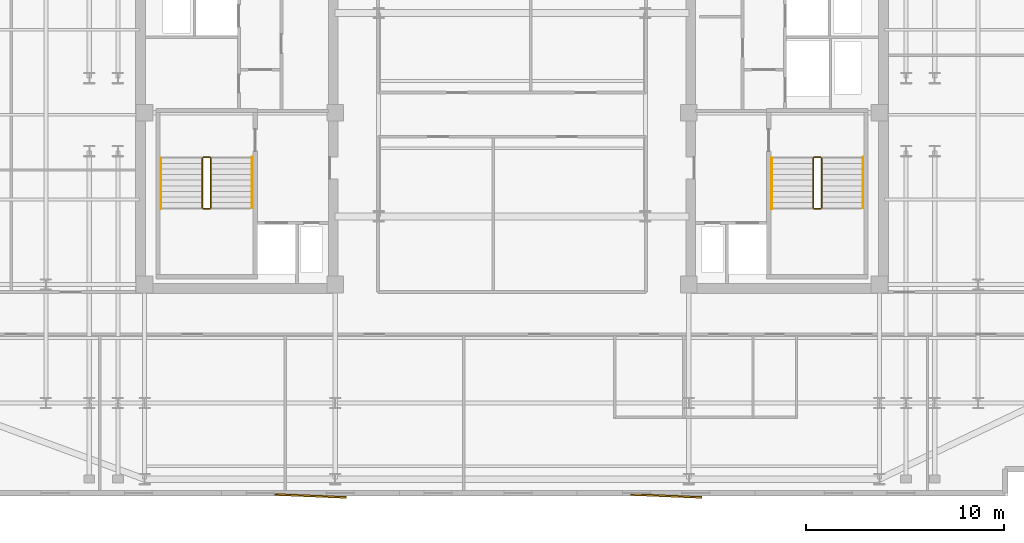
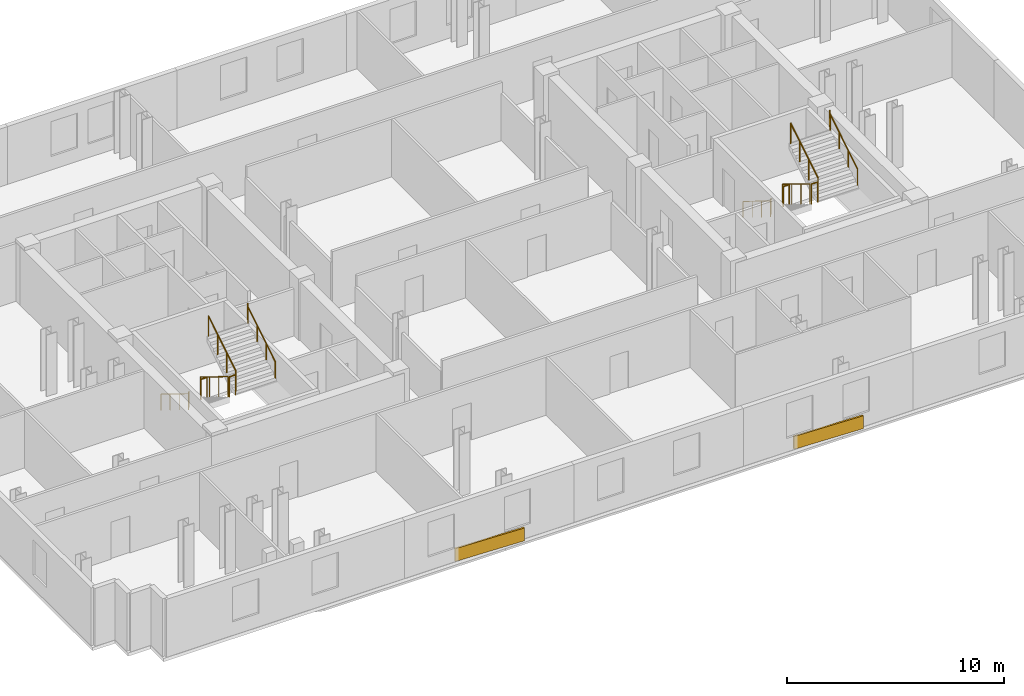
# One storey, part 8 of 9: 12 railings, 2 coverings.
"""IFC4 building model written with IfcOpenShell, lengths in metres."""

from ifc_helpers import new_model, si_unit, direction, frame, origin, origin_2d, place, context, subcontext, project, spatial, rectangle, circle, extrude, material, layer, layer_set, type_object, element, save


model = new_model("IFC4")

# Units and contexts
model_context = context("Model", 3, precision=1e-05, world=origin(), true_north=direction((0.0, 1.0)))
body_context = subcontext(model_context, "Body", "Model", "MODEL_VIEW")
ifc_project = project(units=[si_unit("LENGTHUNIT", "METRE"), si_unit("AREAUNIT", "SQUARE_METRE"), si_unit("VOLUMEUNIT", "CUBIC_METRE"), si_unit("PLANEANGLEUNIT", "RADIAN"), si_unit("MASSUNIT", "GRAM", prefix="KILO")], contexts=[model_context])

# Site, building, storey
site_placement = place(None, origin())
site = spatial("IfcSite", under=ifc_project, at=site_placement, CompositionType="ELEMENT")
building_placement = place(site_placement, origin())
building = spatial("IfcBuilding", under=site, at=building_placement, Name="Velakula Bourse", CompositionType="ELEMENT")
storey_placement = place(building_placement, frame((0.0, 0.0, 218.85009765625)))
storey = spatial("IfcBuildingStorey", under=building, at=storey_placement, Name="L59", CompositionType="ELEMENT", Elevation=218.85009765625)

# Coverings
ifc_material_1 = material(Name="Red kilned clay facing brick masonry", Category="masonry")
ifc_layer = layer(ifc_material_1, 0.090087890625, Name="Red kilned clay facing brick masonry", Category="masonry")
ifc_layer_set = layer_set([ifc_layer], Name="Red kilned clay facing brick masonry")
covering_type = type_object("IfcCoveringType", Name="COV-BRK-FOLD-90", PredefinedType="CLADDING", material=ifc_layer_set)
for number, where, z_axis, x_axis, name in (
    (1, (-10.199951171875, -19.300048828125, 0.0), (0.0, 0.0, 1.0), (0.999158993058, -0.041003738744, 0.0), "L59 Folded Brick Facade Cladding Panel S-B2"),
    (2, (7.800048828125, -19.300048828125, 0.0), (0.0, 0.0, 1.0), (0.999158993058, -0.041003738744, 0.0), "L59 Folded Brick Facade Cladding Panel S-B4"),
):
    element("IfcCovering", number, at=place(storey_placement, frame(where, z_axis=z_axis, x_axis=x_axis)), inside=storey, type_object=covering_type, Name=name, PredefinedType="CLADDING", context=body_context, shape_type="SweptSolid", body=[
        extrude(rectangle(XDim=3.60009765625, YDim=0.090087890625, at=origin_2d()), origin(), (0.0, 0.0, 1.0), 0.719970703125),
    ])

# Railings
ifc_material_2 = material(Name="Brushed grade 316 stainless steel", Category="steel")
railing_type_1 = type_object("IfcRailingType", Name="RLG-STAIR-GUARD-1150", PredefinedType="BALUSTRADE", material=ifc_material_2)
railing_1_placement = place(storey_placement, frame((-15.672119140625, -2.199951171875, 0.17236328125)))
element("IfcRailing", 3, at=railing_1_placement, inside=storey, type_object=railing_type_1, Name="L59 ST-W1 stair guard 1", PredefinedType="BALUSTRADE", context=body_context, shape_type="SweptSolid", body=[
    extrude(circle(Radius=0.02490234375, at=origin_2d()), frame((0.0, 0.0, 1.125), z_axis=(0.0, -0.851400495292, 0.524516154772), x_axis=(1.0, 0.0, 0.0)), (0.0, 0.0, 1.0), 2.9599609375),
    extrude(circle(Radius=0.02099609375, at=origin_2d()), origin(), (0.0, 0.0, 1.0), 1.099853515625),
    extrude(circle(Radius=0.02099609375, at=origin_2d()), frame((0.0, -0.840087890625, 0.517578125)), (0.0, 0.0, 1.0), 1.099853515625),
    extrude(circle(Radius=0.02099609375, at=origin_2d()), frame((0.0, -1.679931640625, 1.034912109375)), (0.0, 0.0, 1.0), 1.099853515625),
    extrude(circle(Radius=0.02099609375, at=origin_2d()), frame((0.0, -2.52001953125, 1.552490234375)), (0.0, 0.0, 1.0), 1.099853515625),
])
railing_2_placement = place(storey_placement, frame((-15.6220703125, -4.77001953125, 1.724853515625)))
element("IfcRailing", 4, at=railing_2_placement, inside=storey, type_object=railing_type_1, Name="L59 ST-W1 stair guard 2", PredefinedType="BALUSTRADE", context=body_context, shape_type="SweptSolid", body=[
    extrude(circle(Radius=0.02490234375, at=origin_2d()), frame((0.0, 0.0, 1.125), z_axis=(1.0, 0.0, 0.0), x_axis=(0.0, 1.0, 0.0)), (0.0, 0.0, 1.0), 0.323974609375),
    extrude(circle(Radius=0.02099609375, at=origin_2d()), origin(), (0.0, 0.0, 1.0), 1.099853515625),
    extrude(circle(Radius=0.02099609375, at=origin_2d()), frame((0.323974609375, 0.0, 0.0)), (0.0, 0.0, 1.0), 1.099853515625),
])
railing_3_placement = place(storey_placement, frame((-15.248046875, -4.719970703125, 1.8974609375)))
element("IfcRailing", 5, at=railing_3_placement, inside=storey, type_object=railing_type_1, Name="L59 ST-W1 stair guard 3", PredefinedType="BALUSTRADE", context=body_context, shape_type="SweptSolid", body=[
    extrude(circle(Radius=0.02490234375, at=origin_2d()), frame((0.0, 0.0, 1.125), z_axis=(0.0, 0.851400495292, 0.524516154772), x_axis=(-1.0, 0.0, 0.0)), (0.0, 0.0, 1.0), 2.9599609375),
    extrude(circle(Radius=0.02099609375, at=origin_2d()), origin(), (0.0, 0.0, 1.0), 1.099853515625),
    extrude(circle(Radius=0.02099609375, at=origin_2d()), frame((0.0, 0.840087890625, 0.517578125)), (0.0, 0.0, 1.0), 1.099853515625),
    extrude(circle(Radius=0.02099609375, at=origin_2d()), frame((0.0, 1.679931640625, 1.034912109375)), (0.0, 0.0, 1.0), 1.099853515625),
    extrude(circle(Radius=0.02099609375, at=origin_2d()), frame((0.0, 2.52001953125, 1.552490234375)), (0.0, 0.0, 1.0), 1.099853515625),
])
railing_4_placement = place(storey_placement, frame((-15.6220703125, -2.14990234375, 0.0)))
element("IfcRailing", 6, at=railing_4_placement, inside=storey, type_object=railing_type_1, Name="L59 ST-W1 stair guard 4", PredefinedType="BALUSTRADE", context=body_context, shape_type="SweptSolid", body=[
    extrude(circle(Radius=0.02490234375, at=origin_2d()), frame((0.0, 0.0, 1.125), z_axis=(1.0, 0.0, 0.0), x_axis=(0.0, 1.0, 0.0)), (0.0, 0.0, 1.0), 0.323974609375),
    extrude(circle(Radius=0.02099609375, at=origin_2d()), origin(), (0.0, 0.0, 1.0), 1.099853515625),
    extrude(circle(Radius=0.02099609375, at=origin_2d()), frame((0.323974609375, 0.0, 0.0)), (0.0, 0.0, 1.0), 1.099853515625),
])
railing_5_placement = place(storey_placement, frame((15.248046875, -2.199951171875, 0.17236328125)))
element("IfcRailing", 7, at=railing_5_placement, inside=storey, type_object=railing_type_1, Name="L59 ST-E1 stair guard 1", PredefinedType="BALUSTRADE", context=body_context, shape_type="SweptSolid", body=[
    extrude(circle(Radius=0.02490234375, at=origin_2d()), frame((0.0, 0.0, 1.125), z_axis=(0.0, -0.851400495292, 0.524516154772), x_axis=(1.0, 0.0, 0.0)), (0.0, 0.0, 1.0), 2.9599609375),
    extrude(circle(Radius=0.02099609375, at=origin_2d()), origin(), (0.0, 0.0, 1.0), 1.099853515625),
    extrude(circle(Radius=0.02099609375, at=origin_2d()), frame((0.0, -0.840087890625, 0.517578125)), (0.0, 0.0, 1.0), 1.099853515625),
    extrude(circle(Radius=0.02099609375, at=origin_2d()), frame((0.0, -1.679931640625, 1.034912109375)), (0.0, 0.0, 1.0), 1.099853515625),
    extrude(circle(Radius=0.02099609375, at=origin_2d()), frame((0.0, -2.52001953125, 1.552490234375)), (0.0, 0.0, 1.0), 1.099853515625),
])
railing_6_placement = place(storey_placement, frame((15.298095703125, -4.77001953125, 1.724853515625)))
element("IfcRailing", 8, at=railing_6_placement, inside=storey, type_object=railing_type_1, Name="L59 ST-E1 stair guard 2", PredefinedType="BALUSTRADE", context=body_context, shape_type="SweptSolid", body=[
    extrude(circle(Radius=0.02490234375, at=origin_2d()), frame((0.0, 0.0, 1.125), z_axis=(1.0, 0.0, 0.0), x_axis=(0.0, 1.0, 0.0)), (0.0, 0.0, 1.0), 0.323974609375),
    extrude(circle(Radius=0.02099609375, at=origin_2d()), origin(), (0.0, 0.0, 1.0), 1.099853515625),
    extrude(circle(Radius=0.02099609375, at=origin_2d()), frame((0.323974609375, 0.0, 0.0)), (0.0, 0.0, 1.0), 1.099853515625),
])
railing_7_placement = place(storey_placement, frame((15.672119140625, -4.719970703125, 1.8974609375)))
element("IfcRailing", 9, at=railing_7_placement, inside=storey, type_object=railing_type_1, Name="L59 ST-E1 stair guard 3", PredefinedType="BALUSTRADE", context=body_context, shape_type="SweptSolid", body=[
    extrude(circle(Radius=0.02490234375, at=origin_2d()), frame((0.0, 0.0, 1.125), z_axis=(0.0, 0.851400495292, 0.524516154772), x_axis=(-1.0, 0.0, 0.0)), (0.0, 0.0, 1.0), 2.9599609375),
    extrude(circle(Radius=0.02099609375, at=origin_2d()), origin(), (0.0, 0.0, 1.0), 1.099853515625),
    extrude(circle(Radius=0.02099609375, at=origin_2d()), frame((0.0, 0.840087890625, 0.517578125)), (0.0, 0.0, 1.0), 1.099853515625),
    extrude(circle(Radius=0.02099609375, at=origin_2d()), frame((0.0, 1.679931640625, 1.034912109375)), (0.0, 0.0, 1.0), 1.099853515625),
    extrude(circle(Radius=0.02099609375, at=origin_2d()), frame((0.0, 2.52001953125, 1.552490234375)), (0.0, 0.0, 1.0), 1.099853515625),
])
railing_8_placement = place(storey_placement, frame((15.298095703125, -2.14990234375, 0.0)))
element("IfcRailing", 10, at=railing_8_placement, inside=storey, type_object=railing_type_1, Name="L59 ST-E1 stair guard 4", PredefinedType="BALUSTRADE", context=body_context, shape_type="SweptSolid", body=[
    extrude(circle(Radius=0.02490234375, at=origin_2d()), frame((0.0, 0.0, 1.125), z_axis=(1.0, 0.0, 0.0), x_axis=(0.0, 1.0, 0.0)), (0.0, 0.0, 1.0), 0.323974609375),
    extrude(circle(Radius=0.02099609375, at=origin_2d()), origin(), (0.0, 0.0, 1.0), 1.099853515625),
    extrude(circle(Radius=0.02099609375, at=origin_2d()), frame((0.323974609375, 0.0, 0.0)), (0.0, 0.0, 1.0), 1.099853515625),
])
railing_type_2 = type_object("IfcRailingType", Name="RLG-STAIR-HAND-920", PredefinedType="HANDRAIL", material=ifc_material_2)
railing_9_placement = place(storey_placement, frame((-17.77001953125, -2.199951171875, 0.17236328125)))
element("IfcRailing", 11, at=railing_9_placement, inside=storey, type_object=railing_type_2, Name="L59 ST-W1 stair handrail 1", PredefinedType="HANDRAIL", context=body_context, shape_type="SweptSolid", body=[
    extrude(circle(Radius=0.02099609375, at=origin_2d()), frame((0.0, 0.0, 0.89892578125), z_axis=(0.0, -0.851400495292, 0.524516154772), x_axis=(1.0, 0.0, 0.0)), (0.0, 0.0, 1.0), 2.9599609375),
    extrude(circle(Radius=0.02099609375, at=origin_2d()), frame((0.0, -2.52001953125, 2.451416015625), z_axis=(0.0, -0.22596628056, 0.974135124123), x_axis=(1.0, 0.0, 0.0)), (0.0, 0.0, 1.0), 0.17724609375),
    extrude(circle(Radius=0.02099609375, at=origin_2d()), frame((0.0, -2.56005859375, 2.6240234375), z_axis=(0.0, -1.0, 0.0), x_axis=(1.0, 0.0, 0.0)), (0.0, 0.0, 1.0), 0.0048828125),
    extrude(circle(Radius=0.02099609375, at=origin_2d()), origin(), (0.0, 0.0, 1.0), 0.8779296875),
    extrude(circle(Radius=0.02099609375, at=origin_2d()), frame((0.0, -0.840087890625, 0.517578125)), (0.0, 0.0, 1.0), 0.8779296875),
    extrude(circle(Radius=0.02099609375, at=origin_2d()), frame((0.0, -1.679931640625, 1.034912109375)), (0.0, 0.0, 1.0), 0.8779296875),
    extrude(circle(Radius=0.02099609375, at=origin_2d()), frame((0.0, -2.52001953125, 1.552490234375)), (0.0, 0.0, 1.0), 0.8779296875),
    extrude(circle(Radius=0.02099609375, at=origin_2d()), frame((0.0, -2.56005859375, 1.72509765625)), (0.0, 0.0, 1.0), 0.8779296875),
    extrude(circle(Radius=0.02099609375, at=origin_2d()), frame((0.0, -2.56494140625, 1.72509765625)), (0.0, 0.0, 1.0), 0.8779296875),
])
railing_10_placement = place(storey_placement, frame((-13.14990234375, -4.719970703125, 1.8974609375)))
element("IfcRailing", 12, at=railing_10_placement, inside=storey, type_object=railing_type_2, Name="L59 ST-W1 stair handrail 2", PredefinedType="HANDRAIL", context=body_context, shape_type="SweptSolid", body=[
    extrude(circle(Radius=0.02099609375, at=origin_2d()), frame((0.0, 0.0, 0.89892578125), z_axis=(0.0, 0.851400495292, 0.524516154772), x_axis=(-1.0, 0.0, 0.0)), (0.0, 0.0, 1.0), 2.9599609375),
    extrude(circle(Radius=0.02099609375, at=origin_2d()), frame((0.0, 2.52001953125, 2.451416015625), z_axis=(0.0, 0.226269970362, 0.974064628509), x_axis=(-1.0, 0.0, 0.0)), (0.0, 0.0, 1.0), 0.177001953125),
    extrude(circle(Radius=0.02099609375, at=origin_2d()), frame((0.0, 2.56005859375, 2.623779296875), z_axis=(0.0, 1.0, 0.0), x_axis=(-1.0, 0.0, 0.0)), (0.0, 0.0, 1.0), 0.0048828125),
    extrude(circle(Radius=0.02099609375, at=origin_2d()), origin(), (0.0, 0.0, 1.0), 0.8779296875),
    extrude(circle(Radius=0.02099609375, at=origin_2d()), frame((0.0, 0.840087890625, 0.517578125)), (0.0, 0.0, 1.0), 0.8779296875),
    extrude(circle(Radius=0.02099609375, at=origin_2d()), frame((0.0, 1.679931640625, 1.034912109375)), (0.0, 0.0, 1.0), 0.8779296875),
    extrude(circle(Radius=0.02099609375, at=origin_2d()), frame((0.0, 2.52001953125, 1.552490234375)), (0.0, 0.0, 1.0), 0.8779296875),
    extrude(circle(Radius=0.02099609375, at=origin_2d()), frame((0.0, 2.56005859375, 1.724853515625)), (0.0, 0.0, 1.0), 0.8779296875),
    extrude(circle(Radius=0.02099609375, at=origin_2d()), frame((0.0, 2.56494140625, 1.724853515625)), (0.0, 0.0, 1.0), 0.8779296875),
])
railing_11_placement = place(storey_placement, frame((13.14990234375, -2.199951171875, 0.17236328125)))
element("IfcRailing", 13, at=railing_11_placement, inside=storey, type_object=railing_type_2, Name="L59 ST-E1 stair handrail 1", PredefinedType="HANDRAIL", context=body_context, shape_type="SweptSolid", body=[
    extrude(circle(Radius=0.02099609375, at=origin_2d()), frame((0.0, 0.0, 0.89892578125), z_axis=(0.0, -0.851400495292, 0.524516154772), x_axis=(1.0, 0.0, 0.0)), (0.0, 0.0, 1.0), 2.9599609375),
    extrude(circle(Radius=0.02099609375, at=origin_2d()), frame((0.0, -2.52001953125, 2.451416015625), z_axis=(0.0, -0.22596628056, 0.974135124123), x_axis=(1.0, 0.0, 0.0)), (0.0, 0.0, 1.0), 0.17724609375),
    extrude(circle(Radius=0.02099609375, at=origin_2d()), frame((0.0, -2.56005859375, 2.6240234375), z_axis=(0.0, -1.0, 0.0), x_axis=(1.0, 0.0, 0.0)), (0.0, 0.0, 1.0), 0.0048828125),
    extrude(circle(Radius=0.02099609375, at=origin_2d()), origin(), (0.0, 0.0, 1.0), 0.8779296875),
    extrude(circle(Radius=0.02099609375, at=origin_2d()), frame((0.0, -0.840087890625, 0.517578125)), (0.0, 0.0, 1.0), 0.8779296875),
    extrude(circle(Radius=0.02099609375, at=origin_2d()), frame((0.0, -1.679931640625, 1.034912109375)), (0.0, 0.0, 1.0), 0.8779296875),
    extrude(circle(Radius=0.02099609375, at=origin_2d()), frame((0.0, -2.52001953125, 1.552490234375)), (0.0, 0.0, 1.0), 0.8779296875),
    extrude(circle(Radius=0.02099609375, at=origin_2d()), frame((0.0, -2.56005859375, 1.72509765625)), (0.0, 0.0, 1.0), 0.8779296875),
    extrude(circle(Radius=0.02099609375, at=origin_2d()), frame((0.0, -2.56494140625, 1.72509765625)), (0.0, 0.0, 1.0), 0.8779296875),
])
railing_12_placement = place(storey_placement, frame((17.77001953125, -4.719970703125, 1.8974609375)))
element("IfcRailing", 14, at=railing_12_placement, inside=storey, type_object=railing_type_2, Name="L59 ST-E1 stair handrail 2", PredefinedType="HANDRAIL", context=body_context, shape_type="SweptSolid", body=[
    extrude(circle(Radius=0.02099609375, at=origin_2d()), frame((0.0, 0.0, 0.89892578125), z_axis=(0.0, 0.851400495292, 0.524516154772), x_axis=(-1.0, 0.0, 0.0)), (0.0, 0.0, 1.0), 2.9599609375),
    extrude(circle(Radius=0.02099609375, at=origin_2d()), frame((0.0, 2.52001953125, 2.451416015625), z_axis=(0.0, 0.226269970362, 0.974064628509), x_axis=(-1.0, 0.0, 0.0)), (0.0, 0.0, 1.0), 0.177001953125),
    extrude(circle(Radius=0.02099609375, at=origin_2d()), frame((0.0, 2.56005859375, 2.623779296875), z_axis=(0.0, 1.0, 0.0), x_axis=(-1.0, 0.0, 0.0)), (0.0, 0.0, 1.0), 0.0048828125),
    extrude(circle(Radius=0.02099609375, at=origin_2d()), origin(), (0.0, 0.0, 1.0), 0.8779296875),
    extrude(circle(Radius=0.02099609375, at=origin_2d()), frame((0.0, 0.840087890625, 0.517578125)), (0.0, 0.0, 1.0), 0.8779296875),
    extrude(circle(Radius=0.02099609375, at=origin_2d()), frame((0.0, 1.679931640625, 1.034912109375)), (0.0, 0.0, 1.0), 0.8779296875),
    extrude(circle(Radius=0.02099609375, at=origin_2d()), frame((0.0, 2.52001953125, 1.552490234375)), (0.0, 0.0, 1.0), 0.8779296875),
    extrude(circle(Radius=0.02099609375, at=origin_2d()), frame((0.0, 2.56005859375, 1.724853515625)), (0.0, 0.0, 1.0), 0.8779296875),
    extrude(circle(Radius=0.02099609375, at=origin_2d()), frame((0.0, 2.56494140625, 1.724853515625)), (0.0, 0.0, 1.0), 0.8779296875),
])

save(model, "model.ifc")
